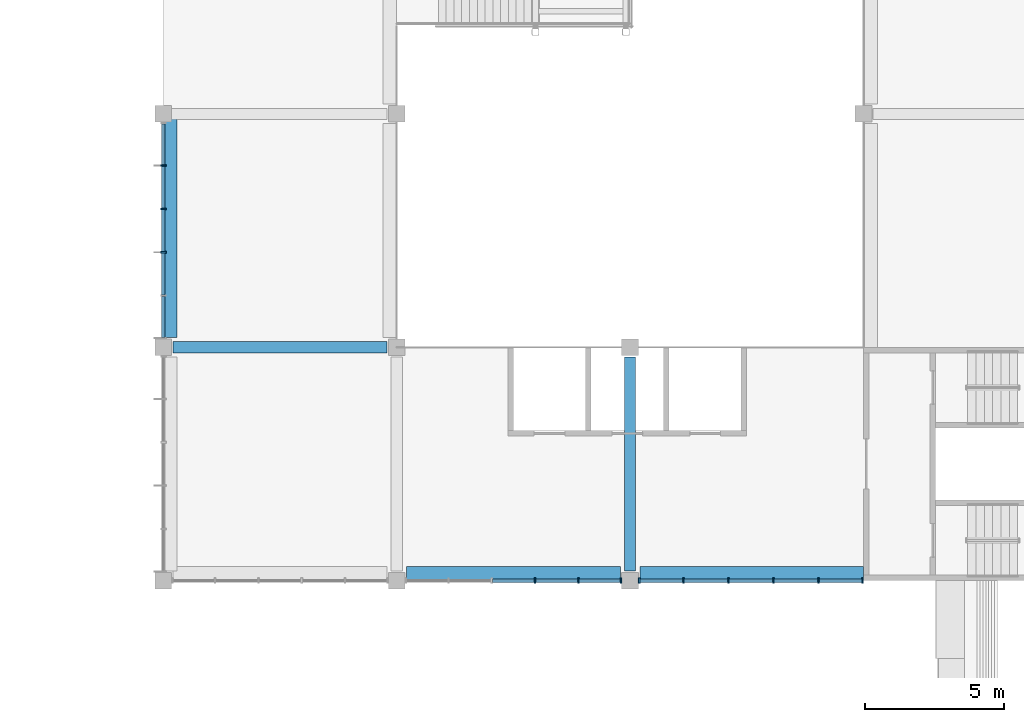
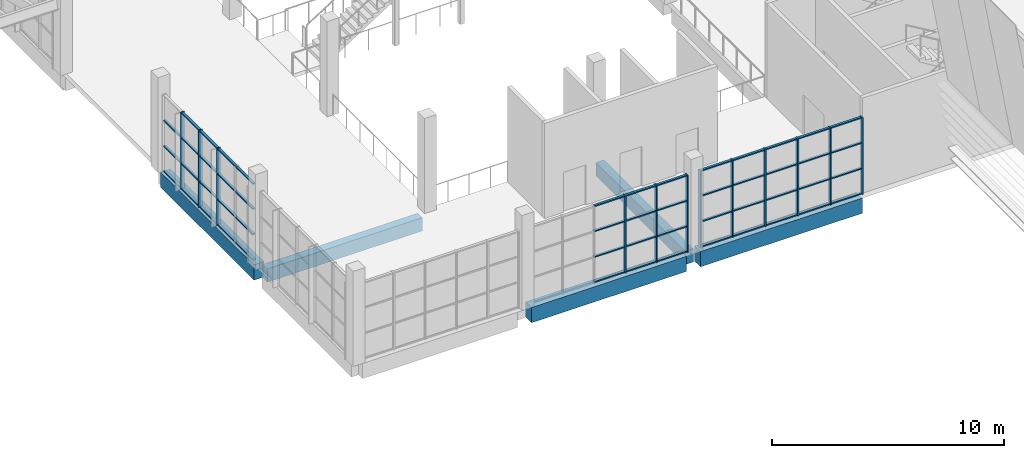
# One storey, part 7 of 59: 63 members, 5 beams, 3 elements without a shape of their own.
"""IFC4 building model written with IfcOpenShell, lengths in metres."""

from ifc_helpers import new_model, si_unit, direction, frame, origin, origin_2d, place, context, subcontext, project, spatial, rectangle, extrude, material, material_profile, profile_set, type_object, element, aggregate, save


model = new_model("IFC4")

# Units and contexts
model_context = context("Model", 3, precision=1e-05, world=origin(), true_north=direction((0.0, 1.0)))
body_context = subcontext(model_context, "Body", "Model", "MODEL_VIEW")
ifc_project = project(units=[si_unit("LENGTHUNIT", "METRE"), si_unit("AREAUNIT", "SQUARE_METRE"), si_unit("VOLUMEUNIT", "CUBIC_METRE"), si_unit("PLANEANGLEUNIT", "RADIAN"), si_unit("MASSUNIT", "GRAM", prefix="KILO")], contexts=[model_context])

# Site, building, storey
site_placement = place(None, origin())
site = spatial("IfcSite", under=ifc_project, at=site_placement, CompositionType="ELEMENT")
building_placement = place(site_placement, origin())
building = spatial("IfcBuilding", under=site, at=building_placement, Name="Almond Square Museum", CompositionType="ELEMENT")
storey_placement = place(building_placement, frame((0.0, 0.0, 25.0)))
storey = spatial("IfcBuildingStorey", under=building, at=storey_placement, Name="L04", CompositionType="ELEMENT", Elevation=25.0)

# Curtain wall, members
ifc_material_1 = material(Name="Aluminium and laminated glass", Category="aluminium")
curtain_wall_type = type_object("IfcCurtainWallType", Name="Unitised curtain wall 1500 module", PredefinedType="NOTDEFINED", material=ifc_material_1)
curtain_wall_1_placement = place(storey_placement, origin())
curtain_wall_1 = element("IfcCurtainWall", 1, at=curtain_wall_1_placement, inside=storey, type_object=curtain_wall_type, Name="Curtain wall CW-45", PredefinedType="NOTDEFINED")
ifc_material_2 = material(Name="Anodised aluminium", Category="aluminium")
ifc_material_profile_1 = material_profile(ifc_material_2, rectangle(XDim=0.199951171875, YDim=0.06005859375, at=origin_2d()))
ifc_profile_set_1 = profile_set([ifc_material_profile_1], Name="Anodised aluminium")
member_type_1 = type_object("IfcMemberType", Name="Aluminium mullion 60 x 200", PredefinedType="MULLION", material=ifc_profile_set_1)
member_1_placement = place(storey_placement, frame((73.199951171875, 79.02001953125, 0.0), z_axis=(0.0, 0.0, 1.0), x_axis=(-1.0, 0.0, 0.0)))
member_1 = element("IfcMember", 2, at=member_1_placement, type_object=member_type_1, Name="CW-45 mullion 3", PredefinedType="MULLION", context=body_context, shape_type="SweptSolid", body=[
    extrude(rectangle(XDim=0.199951171875, YDim=0.06005859375, at=origin_2d()), origin(), (0.0, 0.0, 1.0), 4.050048828125),
])
member_2_placement = place(storey_placement, frame((73.199951171875, 80.580078125, 0.0), z_axis=(0.0, 0.0, 1.0), x_axis=(-1.0, 0.0, 0.0)))
member_2 = element("IfcMember", 3, at=member_2_placement, type_object=member_type_1, Name="CW-45 mullion 4", PredefinedType="MULLION", context=body_context, shape_type="SweptSolid", body=[
    extrude(rectangle(XDim=0.199951171875, YDim=0.06005859375, at=origin_2d()), origin(), (0.0, 0.0, 1.0), 4.050048828125),
])
member_3_placement = place(storey_placement, frame((73.199951171875, 82.139892578125, 0.0), z_axis=(0.0, 0.0, 1.0), x_axis=(-1.0, 0.0, 0.0)))
member_3 = element("IfcMember", 4, at=member_3_placement, type_object=member_type_1, Name="CW-45 mullion 5", PredefinedType="MULLION", context=body_context, shape_type="SweptSolid", body=[
    extrude(rectangle(XDim=0.199951171875, YDim=0.06005859375, at=origin_2d()), origin(), (0.0, 0.0, 1.0), 4.050048828125),
])

curtain_wall_2_placement = place(storey_placement, origin())
curtain_wall_2 = element("IfcCurtainWall", 5, at=curtain_wall_2_placement, inside=storey, type_object=curtain_wall_type, Name="Curtain wall CW-48", PredefinedType="NOTDEFINED")
member_4_placement = place(storey_placement, frame((86.580078125, 67.199951171875, 0.0), z_axis=(0.0, 0.0, 1.0), x_axis=(0.0, 1.0, 0.0)))
member_4 = element("IfcMember", 6, at=member_4_placement, type_object=member_type_1, Name="CW-48 mullion 4", PredefinedType="MULLION", context=body_context, shape_type="SweptSolid", body=[
    extrude(rectangle(XDim=0.199951171875, YDim=0.06005859375, at=origin_2d()), origin(), (0.0, 0.0, 1.0), 4.050048828125),
])
member_5_placement = place(storey_placement, frame((88.139892578125, 67.199951171875, 0.0), z_axis=(0.0, 0.0, 1.0), x_axis=(0.0, 1.0, 0.0)))
member_5 = element("IfcMember", 7, at=member_5_placement, type_object=member_type_1, Name="CW-48 mullion 5", PredefinedType="MULLION", context=body_context, shape_type="SweptSolid", body=[
    extrude(rectangle(XDim=0.199951171875, YDim=0.06005859375, at=origin_2d()), origin(), (0.0, 0.0, 1.0), 4.050048828125),
])
member_6_placement = place(storey_placement, frame((89.669921875, 67.199951171875, 0.0), z_axis=(0.0, 0.0, 1.0), x_axis=(0.0, 1.0, 0.0)))
member_6 = element("IfcMember", 8, at=member_6_placement, type_object=member_type_1, Name="CW-48 mullion 6", PredefinedType="MULLION", context=body_context, shape_type="SweptSolid", body=[
    extrude(rectangle(XDim=0.199951171875, YDim=0.06005859375, at=origin_2d()), origin(), (0.0, 0.0, 1.0), 4.050048828125),
])

curtain_wall_3_placement = place(storey_placement, origin())
curtain_wall_3 = element("IfcCurtainWall", 9, at=curtain_wall_3_placement, inside=storey, type_object=curtain_wall_type, Name="Curtain wall CW-49", PredefinedType="NOTDEFINED")
member_7_placement = place(storey_placement, frame((90.330078125, 67.199951171875, 0.0), z_axis=(0.0, 0.0, 1.0), x_axis=(0.0, 1.0, 0.0)))
member_7 = element("IfcMember", 10, at=member_7_placement, type_object=member_type_1, Name="CW-49 mullion 1", PredefinedType="MULLION", context=body_context, shape_type="SweptSolid", body=[
    extrude(rectangle(XDim=0.199951171875, YDim=0.06005859375, at=origin_2d()), origin(), (0.0, 0.0, 1.0), 4.050048828125),
])
member_8_placement = place(storey_placement, frame((91.919921875, 67.199951171875, 0.0), z_axis=(0.0, 0.0, 1.0), x_axis=(0.0, 1.0, 0.0)))
member_8 = element("IfcMember", 11, at=member_8_placement, type_object=member_type_1, Name="CW-49 mullion 2", PredefinedType="MULLION", context=body_context, shape_type="SweptSolid", body=[
    extrude(rectangle(XDim=0.199951171875, YDim=0.06005859375, at=origin_2d()), origin(), (0.0, 0.0, 1.0), 4.050048828125),
])
member_9_placement = place(storey_placement, frame((93.5400390625, 67.199951171875, 0.0), z_axis=(0.0, 0.0, 1.0), x_axis=(0.0, 1.0, 0.0)))
member_9 = element("IfcMember", 12, at=member_9_placement, type_object=member_type_1, Name="CW-49 mullion 3", PredefinedType="MULLION", context=body_context, shape_type="SweptSolid", body=[
    extrude(rectangle(XDim=0.199951171875, YDim=0.06005859375, at=origin_2d()), origin(), (0.0, 0.0, 1.0), 4.050048828125),
])
member_10_placement = place(storey_placement, frame((95.159912109375, 67.199951171875, 0.0), z_axis=(0.0, 0.0, 1.0), x_axis=(0.0, 1.0, 0.0)))
member_10 = element("IfcMember", 13, at=member_10_placement, type_object=member_type_1, Name="CW-49 mullion 4", PredefinedType="MULLION", context=body_context, shape_type="SweptSolid", body=[
    extrude(rectangle(XDim=0.199951171875, YDim=0.06005859375, at=origin_2d()), origin(), (0.0, 0.0, 1.0), 4.050048828125),
])
member_11_placement = place(storey_placement, frame((96.780029296875, 67.199951171875, 0.0), z_axis=(0.0, 0.0, 1.0), x_axis=(0.0, 1.0, 0.0)))
member_11 = element("IfcMember", 14, at=member_11_placement, type_object=member_type_1, Name="CW-49 mullion 5", PredefinedType="MULLION", context=body_context, shape_type="SweptSolid", body=[
    extrude(rectangle(XDim=0.199951171875, YDim=0.06005859375, at=origin_2d()), origin(), (0.0, 0.0, 1.0), 4.050048828125),
])
member_12_placement = place(storey_placement, frame((98.3701171875, 67.199951171875, 0.0), z_axis=(0.0, 0.0, 1.0), x_axis=(0.0, 1.0, 0.0)))
member_12 = element("IfcMember", 15, at=member_12_placement, type_object=member_type_1, Name="CW-49 mullion 6", PredefinedType="MULLION", context=body_context, shape_type="SweptSolid", body=[
    extrude(rectangle(XDim=0.199951171875, YDim=0.06005859375, at=origin_2d()), origin(), (0.0, 0.0, 1.0), 4.050048828125),
])

# Member
ifc_material_3 = material(Name="Anodised aluminium", Category="aluminium")
ifc_material_profile_2 = material_profile(ifc_material_3, rectangle(XDim=0.1201171875, YDim=0.06005859375, at=origin_2d()))
ifc_profile_set_2 = profile_set([ifc_material_profile_2], Name="Anodised aluminium")
member_type_2 = type_object("IfcMemberType", Name="Aluminium transom 60 x 120", PredefinedType="USERDEFINED", material=ifc_profile_set_2)
member_13_placement = place(storey_placement, frame((73.199951171875, 75.9599609375, 0.030029296875), z_axis=(0.0, 1.0, 0.0), x_axis=(-1.0, 0.0, 0.0)))
member_13 = element("IfcMember", 16, at=member_13_placement, type_object=member_type_2, Name="CW-45 transom 1.1", ObjectType="TRANSOM", PredefinedType="USERDEFINED", context=body_context, shape_type="SweptSolid", body=[
    extrude(rectangle(XDim=0.1201171875, YDim=0.06005859375, at=origin_2d()), origin(), (0.0, 0.0, 1.0), 1.469970703125),
])

member_14_placement = place(storey_placement, frame((73.199951171875, 75.9599609375, 1.35009765625), z_axis=(0.0, 1.0, 0.0), x_axis=(-1.0, 0.0, 0.0)))
member_14 = element("IfcMember", 17, at=member_14_placement, type_object=member_type_2, Name="CW-45 transom 1.2", ObjectType="TRANSOM", PredefinedType="USERDEFINED", context=body_context, shape_type="SweptSolid", body=[
    extrude(rectangle(XDim=0.1201171875, YDim=0.06005859375, at=origin_2d()), origin(), (0.0, 0.0, 1.0), 1.469970703125),
])

member_15_placement = place(storey_placement, frame((73.199951171875, 75.9599609375, 2.699951171875), z_axis=(0.0, 1.0, 0.0), x_axis=(-1.0, 0.0, 0.0)))
member_15 = element("IfcMember", 18, at=member_15_placement, type_object=member_type_2, Name="CW-45 transom 1.3", ObjectType="TRANSOM", PredefinedType="USERDEFINED", context=body_context, shape_type="SweptSolid", body=[
    extrude(rectangle(XDim=0.1201171875, YDim=0.06005859375, at=origin_2d()), origin(), (0.0, 0.0, 1.0), 1.469970703125),
])

member_16_placement = place(storey_placement, frame((73.199951171875, 75.9599609375, 4.02001953125), z_axis=(0.0, 1.0, 0.0), x_axis=(-1.0, 0.0, 0.0)))
member_16 = element("IfcMember", 19, at=member_16_placement, type_object=member_type_2, Name="CW-45 transom 1.4", ObjectType="TRANSOM", PredefinedType="USERDEFINED", context=body_context, shape_type="SweptSolid", body=[
    extrude(rectangle(XDim=0.1201171875, YDim=0.06005859375, at=origin_2d()), origin(), (0.0, 0.0, 1.0), 1.469970703125),
])

member_17_placement = place(storey_placement, frame((73.199951171875, 77.489990234375, 0.030029296875), z_axis=(0.0, 1.0, 0.0), x_axis=(-1.0, 0.0, 0.0)))
member_17 = element("IfcMember", 20, at=member_17_placement, type_object=member_type_2, Name="CW-45 transom 2.1", ObjectType="TRANSOM", PredefinedType="USERDEFINED", context=body_context, shape_type="SweptSolid", body=[
    extrude(rectangle(XDim=0.1201171875, YDim=0.06005859375, at=origin_2d()), origin(), (0.0, 0.0, 1.0), 1.5),
])

member_18_placement = place(storey_placement, frame((73.199951171875, 77.489990234375, 1.35009765625), z_axis=(0.0, 1.0, 0.0), x_axis=(-1.0, 0.0, 0.0)))
member_18 = element("IfcMember", 21, at=member_18_placement, type_object=member_type_2, Name="CW-45 transom 2.2", ObjectType="TRANSOM", PredefinedType="USERDEFINED", context=body_context, shape_type="SweptSolid", body=[
    extrude(rectangle(XDim=0.1201171875, YDim=0.06005859375, at=origin_2d()), origin(), (0.0, 0.0, 1.0), 1.5),
])

member_19_placement = place(storey_placement, frame((73.199951171875, 77.489990234375, 2.699951171875), z_axis=(0.0, 1.0, 0.0), x_axis=(-1.0, 0.0, 0.0)))
member_19 = element("IfcMember", 22, at=member_19_placement, type_object=member_type_2, Name="CW-45 transom 2.3", ObjectType="TRANSOM", PredefinedType="USERDEFINED", context=body_context, shape_type="SweptSolid", body=[
    extrude(rectangle(XDim=0.1201171875, YDim=0.06005859375, at=origin_2d()), origin(), (0.0, 0.0, 1.0), 1.5),
])

member_20_placement = place(storey_placement, frame((73.199951171875, 77.489990234375, 4.02001953125), z_axis=(0.0, 1.0, 0.0), x_axis=(-1.0, 0.0, 0.0)))
member_20 = element("IfcMember", 23, at=member_20_placement, type_object=member_type_2, Name="CW-45 transom 2.4", ObjectType="TRANSOM", PredefinedType="USERDEFINED", context=body_context, shape_type="SweptSolid", body=[
    extrude(rectangle(XDim=0.1201171875, YDim=0.06005859375, at=origin_2d()), origin(), (0.0, 0.0, 1.0), 1.5),
])

member_21_placement = place(storey_placement, frame((73.199951171875, 79.050048828125, 0.030029296875), z_axis=(0.0, 1.0, 0.0), x_axis=(-1.0, 0.0, 0.0)))
member_21 = element("IfcMember", 24, at=member_21_placement, type_object=member_type_2, Name="CW-45 transom 3.1", ObjectType="TRANSOM", PredefinedType="USERDEFINED", context=body_context, shape_type="SweptSolid", body=[
    extrude(rectangle(XDim=0.1201171875, YDim=0.06005859375, at=origin_2d()), origin(), (0.0, 0.0, 1.0), 1.5),
])

member_22_placement = place(storey_placement, frame((73.199951171875, 79.050048828125, 1.35009765625), z_axis=(0.0, 1.0, 0.0), x_axis=(-1.0, 0.0, 0.0)))
member_22 = element("IfcMember", 25, at=member_22_placement, type_object=member_type_2, Name="CW-45 transom 3.2", ObjectType="TRANSOM", PredefinedType="USERDEFINED", context=body_context, shape_type="SweptSolid", body=[
    extrude(rectangle(XDim=0.1201171875, YDim=0.06005859375, at=origin_2d()), origin(), (0.0, 0.0, 1.0), 1.5),
])

member_23_placement = place(storey_placement, frame((73.199951171875, 79.050048828125, 2.699951171875), z_axis=(0.0, 1.0, 0.0), x_axis=(-1.0, 0.0, 0.0)))
member_23 = element("IfcMember", 26, at=member_23_placement, type_object=member_type_2, Name="CW-45 transom 3.3", ObjectType="TRANSOM", PredefinedType="USERDEFINED", context=body_context, shape_type="SweptSolid", body=[
    extrude(rectangle(XDim=0.1201171875, YDim=0.06005859375, at=origin_2d()), origin(), (0.0, 0.0, 1.0), 1.5),
])

member_24_placement = place(storey_placement, frame((73.199951171875, 79.050048828125, 4.02001953125), z_axis=(0.0, 1.0, 0.0), x_axis=(-1.0, 0.0, 0.0)))
member_24 = element("IfcMember", 27, at=member_24_placement, type_object=member_type_2, Name="CW-45 transom 3.4", ObjectType="TRANSOM", PredefinedType="USERDEFINED", context=body_context, shape_type="SweptSolid", body=[
    extrude(rectangle(XDim=0.1201171875, YDim=0.06005859375, at=origin_2d()), origin(), (0.0, 0.0, 1.0), 1.5),
])

member_25_placement = place(storey_placement, frame((73.199951171875, 80.610107421875, 0.030029296875), z_axis=(0.0, 1.0, 0.0), x_axis=(-1.0, 0.0, 0.0)))
member_25 = element("IfcMember", 28, at=member_25_placement, type_object=member_type_2, Name="CW-45 transom 4.1", ObjectType="TRANSOM", PredefinedType="USERDEFINED", context=body_context, shape_type="SweptSolid", body=[
    extrude(rectangle(XDim=0.1201171875, YDim=0.06005859375, at=origin_2d()), origin(), (0.0, 0.0, 1.0), 1.5),
])

member_26_placement = place(storey_placement, frame((73.199951171875, 80.610107421875, 1.35009765625), z_axis=(0.0, 1.0, 0.0), x_axis=(-1.0, 0.0, 0.0)))
member_26 = element("IfcMember", 29, at=member_26_placement, type_object=member_type_2, Name="CW-45 transom 4.2", ObjectType="TRANSOM", PredefinedType="USERDEFINED", context=body_context, shape_type="SweptSolid", body=[
    extrude(rectangle(XDim=0.1201171875, YDim=0.06005859375, at=origin_2d()), origin(), (0.0, 0.0, 1.0), 1.5),
])

member_27_placement = place(storey_placement, frame((73.199951171875, 80.610107421875, 2.699951171875), z_axis=(0.0, 1.0, 0.0), x_axis=(-1.0, 0.0, 0.0)))
member_27 = element("IfcMember", 30, at=member_27_placement, type_object=member_type_2, Name="CW-45 transom 4.3", ObjectType="TRANSOM", PredefinedType="USERDEFINED", context=body_context, shape_type="SweptSolid", body=[
    extrude(rectangle(XDim=0.1201171875, YDim=0.06005859375, at=origin_2d()), origin(), (0.0, 0.0, 1.0), 1.5),
])

member_28_placement = place(storey_placement, frame((73.199951171875, 80.610107421875, 4.02001953125), z_axis=(0.0, 1.0, 0.0), x_axis=(-1.0, 0.0, 0.0)))
member_28 = element("IfcMember", 31, at=member_28_placement, type_object=member_type_2, Name="CW-45 transom 4.4", ObjectType="TRANSOM", PredefinedType="USERDEFINED", context=body_context, shape_type="SweptSolid", body=[
    extrude(rectangle(XDim=0.1201171875, YDim=0.06005859375, at=origin_2d()), origin(), (0.0, 0.0, 1.0), 1.5),
])

member_29_placement = place(storey_placement, frame((73.199951171875, 82.169921875, 0.030029296875), z_axis=(0.0, 1.0, 0.0), x_axis=(-1.0, 0.0, 0.0)))
member_29 = element("IfcMember", 32, at=member_29_placement, type_object=member_type_2, Name="CW-45 transom 5.1", ObjectType="TRANSOM", PredefinedType="USERDEFINED", context=body_context, shape_type="SweptSolid", body=[
    extrude(rectangle(XDim=0.1201171875, YDim=0.06005859375, at=origin_2d()), origin(), (0.0, 0.0, 1.0), 1.469970703125),
])

member_30_placement = place(storey_placement, frame((73.199951171875, 82.169921875, 1.35009765625), z_axis=(0.0, 1.0, 0.0), x_axis=(-1.0, 0.0, 0.0)))
member_30 = element("IfcMember", 33, at=member_30_placement, type_object=member_type_2, Name="CW-45 transom 5.2", ObjectType="TRANSOM", PredefinedType="USERDEFINED", context=body_context, shape_type="SweptSolid", body=[
    extrude(rectangle(XDim=0.1201171875, YDim=0.06005859375, at=origin_2d()), origin(), (0.0, 0.0, 1.0), 1.469970703125),
])

member_31_placement = place(storey_placement, frame((73.199951171875, 82.169921875, 2.699951171875), z_axis=(0.0, 1.0, 0.0), x_axis=(-1.0, 0.0, 0.0)))
member_31 = element("IfcMember", 34, at=member_31_placement, type_object=member_type_2, Name="CW-45 transom 5.3", ObjectType="TRANSOM", PredefinedType="USERDEFINED", context=body_context, shape_type="SweptSolid", body=[
    extrude(rectangle(XDim=0.1201171875, YDim=0.06005859375, at=origin_2d()), origin(), (0.0, 0.0, 1.0), 1.469970703125),
])

aggregate(curtain_wall_1, [member_1, member_2, member_3, member_13, member_14, member_15, member_16, member_17, member_18, member_19, member_20, member_21, member_22, member_23, member_24, member_25, member_26, member_27, member_28, member_29, member_30, member_31])

member_32_placement = place(storey_placement, frame((85.050048828125, 67.199951171875, 0.030029296875), z_axis=(1.0, 0.0, 0.0), x_axis=(0.0, 1.0, 0.0)))
member_32 = element("IfcMember", 35, at=member_32_placement, type_object=member_type_2, Name="CW-48 transom 3.1", ObjectType="TRANSOM", PredefinedType="USERDEFINED", context=body_context, shape_type="SweptSolid", body=[
    extrude(rectangle(XDim=0.1201171875, YDim=0.06005859375, at=origin_2d()), origin(), (0.0, 0.0, 1.0), 1.5),
])

member_33_placement = place(storey_placement, frame((85.050048828125, 67.199951171875, 1.35009765625), z_axis=(1.0, 0.0, 0.0), x_axis=(0.0, 1.0, 0.0)))
member_33 = element("IfcMember", 36, at=member_33_placement, type_object=member_type_2, Name="CW-48 transom 3.2", ObjectType="TRANSOM", PredefinedType="USERDEFINED", context=body_context, shape_type="SweptSolid", body=[
    extrude(rectangle(XDim=0.1201171875, YDim=0.06005859375, at=origin_2d()), origin(), (0.0, 0.0, 1.0), 1.5),
])

member_34_placement = place(storey_placement, frame((85.050048828125, 67.199951171875, 2.699951171875), z_axis=(1.0, 0.0, 0.0), x_axis=(0.0, 1.0, 0.0)))
member_34 = element("IfcMember", 37, at=member_34_placement, type_object=member_type_2, Name="CW-48 transom 3.3", ObjectType="TRANSOM", PredefinedType="USERDEFINED", context=body_context, shape_type="SweptSolid", body=[
    extrude(rectangle(XDim=0.1201171875, YDim=0.06005859375, at=origin_2d()), origin(), (0.0, 0.0, 1.0), 1.5),
])

member_35_placement = place(storey_placement, frame((85.050048828125, 67.199951171875, 4.02001953125), z_axis=(1.0, 0.0, 0.0), x_axis=(0.0, 1.0, 0.0)))
member_35 = element("IfcMember", 38, at=member_35_placement, type_object=member_type_2, Name="CW-48 transom 3.4", ObjectType="TRANSOM", PredefinedType="USERDEFINED", context=body_context, shape_type="SweptSolid", body=[
    extrude(rectangle(XDim=0.1201171875, YDim=0.06005859375, at=origin_2d()), origin(), (0.0, 0.0, 1.0), 1.5),
])

member_36_placement = place(storey_placement, frame((86.610107421875, 67.199951171875, 0.030029296875), z_axis=(1.0, 0.0, 0.0), x_axis=(0.0, 1.0, 0.0)))
member_36 = element("IfcMember", 39, at=member_36_placement, type_object=member_type_2, Name="CW-48 transom 4.1", ObjectType="TRANSOM", PredefinedType="USERDEFINED", context=body_context, shape_type="SweptSolid", body=[
    extrude(rectangle(XDim=0.1201171875, YDim=0.06005859375, at=origin_2d()), origin(), (0.0, 0.0, 1.0), 1.5),
])

member_37_placement = place(storey_placement, frame((86.610107421875, 67.199951171875, 1.35009765625), z_axis=(1.0, 0.0, 0.0), x_axis=(0.0, 1.0, 0.0)))
member_37 = element("IfcMember", 40, at=member_37_placement, type_object=member_type_2, Name="CW-48 transom 4.2", ObjectType="TRANSOM", PredefinedType="USERDEFINED", context=body_context, shape_type="SweptSolid", body=[
    extrude(rectangle(XDim=0.1201171875, YDim=0.06005859375, at=origin_2d()), origin(), (0.0, 0.0, 1.0), 1.5),
])

member_38_placement = place(storey_placement, frame((86.610107421875, 67.199951171875, 2.699951171875), z_axis=(1.0, 0.0, 0.0), x_axis=(0.0, 1.0, 0.0)))
member_38 = element("IfcMember", 41, at=member_38_placement, type_object=member_type_2, Name="CW-48 transom 4.3", ObjectType="TRANSOM", PredefinedType="USERDEFINED", context=body_context, shape_type="SweptSolid", body=[
    extrude(rectangle(XDim=0.1201171875, YDim=0.06005859375, at=origin_2d()), origin(), (0.0, 0.0, 1.0), 1.5),
])

member_39_placement = place(storey_placement, frame((86.610107421875, 67.199951171875, 4.02001953125), z_axis=(1.0, 0.0, 0.0), x_axis=(0.0, 1.0, 0.0)))
member_39 = element("IfcMember", 42, at=member_39_placement, type_object=member_type_2, Name="CW-48 transom 4.4", ObjectType="TRANSOM", PredefinedType="USERDEFINED", context=body_context, shape_type="SweptSolid", body=[
    extrude(rectangle(XDim=0.1201171875, YDim=0.06005859375, at=origin_2d()), origin(), (0.0, 0.0, 1.0), 1.5),
])

member_40_placement = place(storey_placement, frame((88.169921875, 67.199951171875, 0.030029296875), z_axis=(1.0, 0.0, 0.0), x_axis=(0.0, 1.0, 0.0)))
member_40 = element("IfcMember", 43, at=member_40_placement, type_object=member_type_2, Name="CW-48 transom 5.1", ObjectType="TRANSOM", PredefinedType="USERDEFINED", context=body_context, shape_type="SweptSolid", body=[
    extrude(rectangle(XDim=0.1201171875, YDim=0.06005859375, at=origin_2d()), origin(), (0.0, 0.0, 1.0), 1.469970703125),
])

member_41_placement = place(storey_placement, frame((88.169921875, 67.199951171875, 1.35009765625), z_axis=(1.0, 0.0, 0.0), x_axis=(0.0, 1.0, 0.0)))
member_41 = element("IfcMember", 44, at=member_41_placement, type_object=member_type_2, Name="CW-48 transom 5.2", ObjectType="TRANSOM", PredefinedType="USERDEFINED", context=body_context, shape_type="SweptSolid", body=[
    extrude(rectangle(XDim=0.1201171875, YDim=0.06005859375, at=origin_2d()), origin(), (0.0, 0.0, 1.0), 1.469970703125),
])

member_42_placement = place(storey_placement, frame((88.169921875, 67.199951171875, 2.699951171875), z_axis=(1.0, 0.0, 0.0), x_axis=(0.0, 1.0, 0.0)))
member_42 = element("IfcMember", 45, at=member_42_placement, type_object=member_type_2, Name="CW-48 transom 5.3", ObjectType="TRANSOM", PredefinedType="USERDEFINED", context=body_context, shape_type="SweptSolid", body=[
    extrude(rectangle(XDim=0.1201171875, YDim=0.06005859375, at=origin_2d()), origin(), (0.0, 0.0, 1.0), 1.469970703125),
])

member_43_placement = place(storey_placement, frame((88.169921875, 67.199951171875, 4.02001953125), z_axis=(1.0, 0.0, 0.0), x_axis=(0.0, 1.0, 0.0)))
member_43 = element("IfcMember", 46, at=member_43_placement, type_object=member_type_2, Name="CW-48 transom 5.4", ObjectType="TRANSOM", PredefinedType="USERDEFINED", context=body_context, shape_type="SweptSolid", body=[
    extrude(rectangle(XDim=0.1201171875, YDim=0.06005859375, at=origin_2d()), origin(), (0.0, 0.0, 1.0), 1.469970703125),
])

aggregate(curtain_wall_2, [member_4, member_5, member_6, member_32, member_33, member_34, member_35, member_36, member_37, member_38, member_39, member_40, member_41, member_42, member_43])

member_44_placement = place(storey_placement, frame((90.360107421875, 67.199951171875, 0.030029296875), z_axis=(1.0, 0.0, 0.0), x_axis=(0.0, 1.0, 0.0)))
member_44 = element("IfcMember", 47, at=member_44_placement, type_object=member_type_2, Name="CW-49 transom 1.1", ObjectType="TRANSOM", PredefinedType="USERDEFINED", context=body_context, shape_type="SweptSolid", body=[
    extrude(rectangle(XDim=0.1201171875, YDim=0.06005859375, at=origin_2d()), origin(), (0.0, 0.0, 1.0), 1.52978515625),
])

member_45_placement = place(storey_placement, frame((90.360107421875, 67.199951171875, 1.35009765625), z_axis=(1.0, 0.0, 0.0), x_axis=(0.0, 1.0, 0.0)))
member_45 = element("IfcMember", 48, at=member_45_placement, type_object=member_type_2, Name="CW-49 transom 1.2", ObjectType="TRANSOM", PredefinedType="USERDEFINED", context=body_context, shape_type="SweptSolid", body=[
    extrude(rectangle(XDim=0.1201171875, YDim=0.06005859375, at=origin_2d()), origin(), (0.0, 0.0, 1.0), 1.52978515625),
])

member_46_placement = place(storey_placement, frame((90.360107421875, 67.199951171875, 2.699951171875), z_axis=(1.0, 0.0, 0.0), x_axis=(0.0, 1.0, 0.0)))
member_46 = element("IfcMember", 49, at=member_46_placement, type_object=member_type_2, Name="CW-49 transom 1.3", ObjectType="TRANSOM", PredefinedType="USERDEFINED", context=body_context, shape_type="SweptSolid", body=[
    extrude(rectangle(XDim=0.1201171875, YDim=0.06005859375, at=origin_2d()), origin(), (0.0, 0.0, 1.0), 1.52978515625),
])

member_47_placement = place(storey_placement, frame((90.360107421875, 67.199951171875, 4.02001953125), z_axis=(1.0, 0.0, 0.0), x_axis=(0.0, 1.0, 0.0)))
member_47 = element("IfcMember", 50, at=member_47_placement, type_object=member_type_2, Name="CW-49 transom 1.4", ObjectType="TRANSOM", PredefinedType="USERDEFINED", context=body_context, shape_type="SweptSolid", body=[
    extrude(rectangle(XDim=0.1201171875, YDim=0.06005859375, at=origin_2d()), origin(), (0.0, 0.0, 1.0), 1.52978515625),
])

member_48_placement = place(storey_placement, frame((91.949951171875, 67.199951171875, 0.030029296875), z_axis=(1.0, 0.0, 0.0), x_axis=(0.0, 1.0, 0.0)))
member_48 = element("IfcMember", 51, at=member_48_placement, type_object=member_type_2, Name="CW-49 transom 2.1", ObjectType="TRANSOM", PredefinedType="USERDEFINED", context=body_context, shape_type="SweptSolid", body=[
    extrude(rectangle(XDim=0.1201171875, YDim=0.06005859375, at=origin_2d()), origin(), (0.0, 0.0, 1.0), 1.56005859375),
])

member_49_placement = place(storey_placement, frame((91.949951171875, 67.199951171875, 1.35009765625), z_axis=(1.0, 0.0, 0.0), x_axis=(0.0, 1.0, 0.0)))
member_49 = element("IfcMember", 52, at=member_49_placement, type_object=member_type_2, Name="CW-49 transom 2.2", ObjectType="TRANSOM", PredefinedType="USERDEFINED", context=body_context, shape_type="SweptSolid", body=[
    extrude(rectangle(XDim=0.1201171875, YDim=0.06005859375, at=origin_2d()), origin(), (0.0, 0.0, 1.0), 1.56005859375),
])

member_50_placement = place(storey_placement, frame((91.949951171875, 67.199951171875, 2.699951171875), z_axis=(1.0, 0.0, 0.0), x_axis=(0.0, 1.0, 0.0)))
member_50 = element("IfcMember", 53, at=member_50_placement, type_object=member_type_2, Name="CW-49 transom 2.3", ObjectType="TRANSOM", PredefinedType="USERDEFINED", context=body_context, shape_type="SweptSolid", body=[
    extrude(rectangle(XDim=0.1201171875, YDim=0.06005859375, at=origin_2d()), origin(), (0.0, 0.0, 1.0), 1.56005859375),
])

member_51_placement = place(storey_placement, frame((91.949951171875, 67.199951171875, 4.02001953125), z_axis=(1.0, 0.0, 0.0), x_axis=(0.0, 1.0, 0.0)))
member_51 = element("IfcMember", 54, at=member_51_placement, type_object=member_type_2, Name="CW-49 transom 2.4", ObjectType="TRANSOM", PredefinedType="USERDEFINED", context=body_context, shape_type="SweptSolid", body=[
    extrude(rectangle(XDim=0.1201171875, YDim=0.06005859375, at=origin_2d()), origin(), (0.0, 0.0, 1.0), 1.56005859375),
])

member_52_placement = place(storey_placement, frame((93.570068359375, 67.199951171875, 0.030029296875), z_axis=(1.0, 0.0, 0.0), x_axis=(0.0, 1.0, 0.0)))
member_52 = element("IfcMember", 55, at=member_52_placement, type_object=member_type_2, Name="CW-49 transom 3.1", ObjectType="TRANSOM", PredefinedType="USERDEFINED", context=body_context, shape_type="SweptSolid", body=[
    extrude(rectangle(XDim=0.1201171875, YDim=0.06005859375, at=origin_2d()), origin(), (0.0, 0.0, 1.0), 1.559814453125),
])

member_53_placement = place(storey_placement, frame((93.570068359375, 67.199951171875, 1.35009765625), z_axis=(1.0, 0.0, 0.0), x_axis=(0.0, 1.0, 0.0)))
member_53 = element("IfcMember", 56, at=member_53_placement, type_object=member_type_2, Name="CW-49 transom 3.2", ObjectType="TRANSOM", PredefinedType="USERDEFINED", context=body_context, shape_type="SweptSolid", body=[
    extrude(rectangle(XDim=0.1201171875, YDim=0.06005859375, at=origin_2d()), origin(), (0.0, 0.0, 1.0), 1.559814453125),
])

member_54_placement = place(storey_placement, frame((93.570068359375, 67.199951171875, 2.699951171875), z_axis=(1.0, 0.0, 0.0), x_axis=(0.0, 1.0, 0.0)))
member_54 = element("IfcMember", 57, at=member_54_placement, type_object=member_type_2, Name="CW-49 transom 3.3", ObjectType="TRANSOM", PredefinedType="USERDEFINED", context=body_context, shape_type="SweptSolid", body=[
    extrude(rectangle(XDim=0.1201171875, YDim=0.06005859375, at=origin_2d()), origin(), (0.0, 0.0, 1.0), 1.559814453125),
])

member_55_placement = place(storey_placement, frame((93.570068359375, 67.199951171875, 4.02001953125), z_axis=(1.0, 0.0, 0.0), x_axis=(0.0, 1.0, 0.0)))
member_55 = element("IfcMember", 58, at=member_55_placement, type_object=member_type_2, Name="CW-49 transom 3.4", ObjectType="TRANSOM", PredefinedType="USERDEFINED", context=body_context, shape_type="SweptSolid", body=[
    extrude(rectangle(XDim=0.1201171875, YDim=0.06005859375, at=origin_2d()), origin(), (0.0, 0.0, 1.0), 1.559814453125),
])

member_56_placement = place(storey_placement, frame((95.18994140625, 67.199951171875, 0.030029296875), z_axis=(1.0, 0.0, 0.0), x_axis=(0.0, 1.0, 0.0)))
member_56 = element("IfcMember", 59, at=member_56_placement, type_object=member_type_2, Name="CW-49 transom 4.1", ObjectType="TRANSOM", PredefinedType="USERDEFINED", context=body_context, shape_type="SweptSolid", body=[
    extrude(rectangle(XDim=0.1201171875, YDim=0.06005859375, at=origin_2d()), origin(), (0.0, 0.0, 1.0), 1.56005859375),
])

member_57_placement = place(storey_placement, frame((95.18994140625, 67.199951171875, 1.35009765625), z_axis=(1.0, 0.0, 0.0), x_axis=(0.0, 1.0, 0.0)))
member_57 = element("IfcMember", 60, at=member_57_placement, type_object=member_type_2, Name="CW-49 transom 4.2", ObjectType="TRANSOM", PredefinedType="USERDEFINED", context=body_context, shape_type="SweptSolid", body=[
    extrude(rectangle(XDim=0.1201171875, YDim=0.06005859375, at=origin_2d()), origin(), (0.0, 0.0, 1.0), 1.56005859375),
])

member_58_placement = place(storey_placement, frame((95.18994140625, 67.199951171875, 2.699951171875), z_axis=(1.0, 0.0, 0.0), x_axis=(0.0, 1.0, 0.0)))
member_58 = element("IfcMember", 61, at=member_58_placement, type_object=member_type_2, Name="CW-49 transom 4.3", ObjectType="TRANSOM", PredefinedType="USERDEFINED", context=body_context, shape_type="SweptSolid", body=[
    extrude(rectangle(XDim=0.1201171875, YDim=0.06005859375, at=origin_2d()), origin(), (0.0, 0.0, 1.0), 1.56005859375),
])

member_59_placement = place(storey_placement, frame((95.18994140625, 67.199951171875, 4.02001953125), z_axis=(1.0, 0.0, 0.0), x_axis=(0.0, 1.0, 0.0)))
member_59 = element("IfcMember", 62, at=member_59_placement, type_object=member_type_2, Name="CW-49 transom 4.4", ObjectType="TRANSOM", PredefinedType="USERDEFINED", context=body_context, shape_type="SweptSolid", body=[
    extrude(rectangle(XDim=0.1201171875, YDim=0.06005859375, at=origin_2d()), origin(), (0.0, 0.0, 1.0), 1.56005859375),
])

member_60_placement = place(storey_placement, frame((96.81005859375, 67.199951171875, 0.030029296875), z_axis=(1.0, 0.0, 0.0), x_axis=(0.0, 1.0, 0.0)))
member_60 = element("IfcMember", 63, at=member_60_placement, type_object=member_type_2, Name="CW-49 transom 5.1", ObjectType="TRANSOM", PredefinedType="USERDEFINED", context=body_context, shape_type="SweptSolid", body=[
    extrude(rectangle(XDim=0.1201171875, YDim=0.06005859375, at=origin_2d()), origin(), (0.0, 0.0, 1.0), 1.530029296875),
])

member_61_placement = place(storey_placement, frame((96.81005859375, 67.199951171875, 1.35009765625), z_axis=(1.0, 0.0, 0.0), x_axis=(0.0, 1.0, 0.0)))
member_61 = element("IfcMember", 64, at=member_61_placement, type_object=member_type_2, Name="CW-49 transom 5.2", ObjectType="TRANSOM", PredefinedType="USERDEFINED", context=body_context, shape_type="SweptSolid", body=[
    extrude(rectangle(XDim=0.1201171875, YDim=0.06005859375, at=origin_2d()), origin(), (0.0, 0.0, 1.0), 1.530029296875),
])

member_62_placement = place(storey_placement, frame((96.81005859375, 67.199951171875, 2.699951171875), z_axis=(1.0, 0.0, 0.0), x_axis=(0.0, 1.0, 0.0)))
member_62 = element("IfcMember", 65, at=member_62_placement, type_object=member_type_2, Name="CW-49 transom 5.3", ObjectType="TRANSOM", PredefinedType="USERDEFINED", context=body_context, shape_type="SweptSolid", body=[
    extrude(rectangle(XDim=0.1201171875, YDim=0.06005859375, at=origin_2d()), origin(), (0.0, 0.0, 1.0), 1.530029296875),
])

member_63_placement = place(storey_placement, frame((96.81005859375, 67.199951171875, 4.02001953125), z_axis=(1.0, 0.0, 0.0), x_axis=(0.0, 1.0, 0.0)))
member_63 = element("IfcMember", 66, at=member_63_placement, type_object=member_type_2, Name="CW-49 transom 5.4", ObjectType="TRANSOM", PredefinedType="USERDEFINED", context=body_context, shape_type="SweptSolid", body=[
    extrude(rectangle(XDim=0.1201171875, YDim=0.06005859375, at=origin_2d()), origin(), (0.0, 0.0, 1.0), 1.530029296875),
])

aggregate(curtain_wall_3, [member_7, member_8, member_9, member_10, member_11, member_12, member_44, member_45, member_46, member_47, member_48, member_49, member_50, member_51, member_52, member_53, member_54, member_55, member_56, member_57, member_58, member_59, member_60, member_61, member_62, member_63])

# Beams
ifc_material_4 = material(Name="Concrete C40/50", Category="concrete")
ifc_material_profile_3 = material_profile(ifc_material_4, rectangle(XDim=0.39990234375, YDim=0.699951171875, at=origin_2d()))
ifc_profile_set_3 = profile_set([ifc_material_profile_3], Name="Concrete C40/50")
beam_type_1 = type_object("IfcBeamType", Name="RC beam 400 x 700 C40/50", PredefinedType="BEAM", material=ifc_profile_set_3)
for number, where, z_axis, x_axis, name in (
    (67, (73.550048828125, 75.60009765625, -0.60009765625), (1.0, 0.0, 0.0), (0.0, 1.0, 0.0), "Beam J 10-11 L04"),
    (68, (90.0, 67.550048828125, -0.60009765625), (0.0, 1.0, 0.0), (-1.0, 0.0, 0.0), "Beam 12 I-J L04"),
):
    element("IfcBeam", number, at=place(storey_placement, frame(where, z_axis=z_axis, x_axis=x_axis)), inside=storey, type_object=beam_type_1, Name=name, PredefinedType="BEAM", context=body_context, shape_type="SweptSolid", body=[
        extrude(rectangle(XDim=0.39990234375, YDim=0.699951171875, at=origin_2d()), origin(), (0.0, 0.0, 1.0), 7.699951171875),
    ])
ifc_material_5 = material(Name="Concrete C40/50", Category="concrete")
ifc_material_profile_4 = material_profile(ifc_material_5, rectangle(XDim=0.5, YDim=0.800048828125, at=origin_2d()))
ifc_profile_set_4 = profile_set([ifc_material_profile_4], Name="Concrete C40/50")
beam_type_2 = type_object("IfcBeamType", Name="RC edge beam 500 x 800 C40/50", PredefinedType="BEAM", material=ifc_profile_set_4)
beam_1_placement = place(storey_placement, frame((81.949951171875, 67.449951171875, -0.64990234375), z_axis=(1.0, 0.0, 0.0), x_axis=(0.0, 1.0, 0.0)))
element("IfcBeam", 69, at=beam_1_placement, inside=storey, type_object=beam_type_2, Name="Edge beam I 11-12 L04", PredefinedType="BEAM", context=body_context, shape_type="SweptSolid", body=[
    extrude(rectangle(XDim=0.5, YDim=0.800048828125, at=origin_2d()), origin(), (0.0, 0.0, 1.0), 7.699951171875),
])
beam_2_placement = place(storey_placement, frame((90.35009765625, 67.449951171875, -0.64990234375), z_axis=(1.0, 0.0, 0.0), x_axis=(0.0, 1.0, 0.0)))
element("IfcBeam", 70, at=beam_2_placement, inside=storey, type_object=beam_type_2, Name="Edge beam I 12-13 L04", PredefinedType="BEAM", context=body_context, shape_type="SweptSolid", body=[
    extrude(rectangle(XDim=0.5, YDim=0.800048828125, at=origin_2d()), origin(), (0.0, 0.0, 1.0), 8.0498046875),
])
beam_3_placement = place(storey_placement, frame((73.449951171875, 75.949951171875, -0.64990234375), z_axis=(0.0, 1.0, 0.0), x_axis=(-1.0, 0.0, 0.0)))
element("IfcBeam", 71, at=beam_3_placement, inside=storey, type_object=beam_type_2, Name="Edge beam 10 J-K L04", PredefinedType="BEAM", context=body_context, shape_type="SweptSolid", body=[
    extrude(rectangle(XDim=0.5, YDim=0.800048828125, at=origin_2d()), origin(), (0.0, 0.0, 1.0), 8.050048828125),
])

save(model, "model.ifc")
